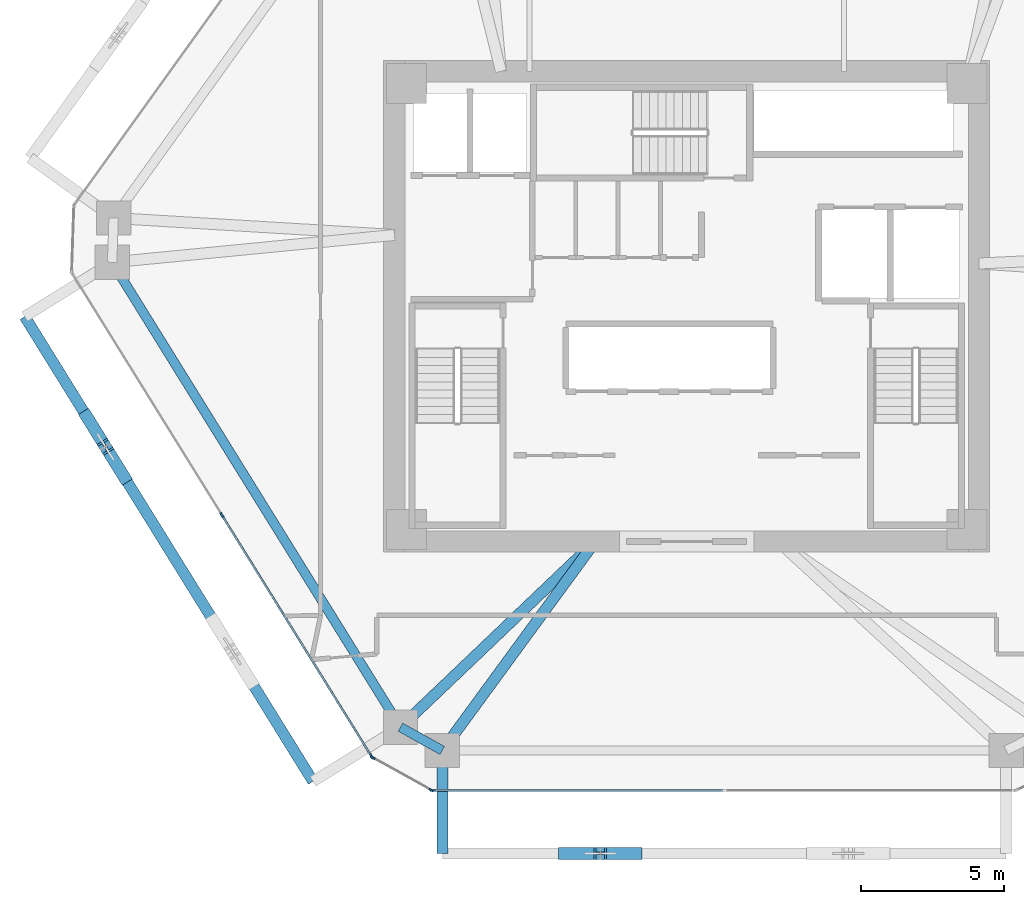
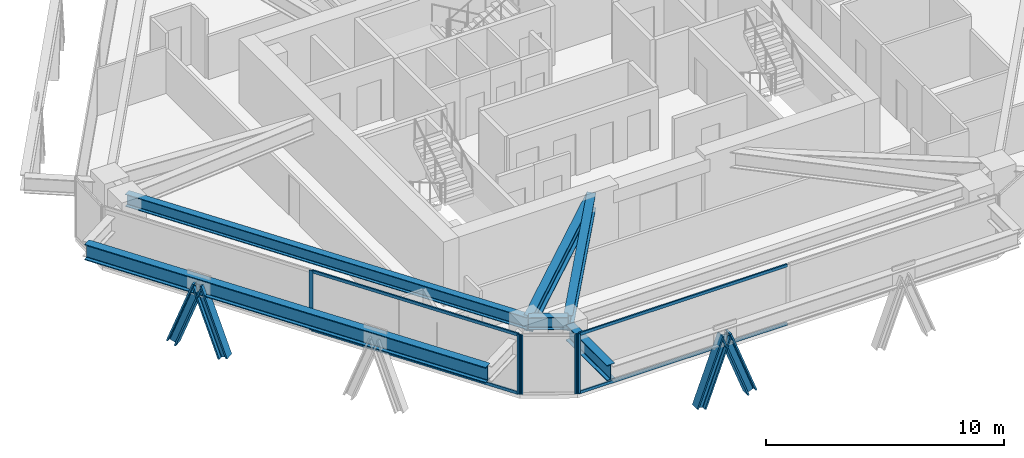
# One storey, part 2 of 15: 13 members, 6 beams, 3 elements without a shape of their own.
"""IFC4 building model written with IfcOpenShell, lengths in metres."""

from ifc_helpers import new_model, si_unit, direction, frame, origin, origin_2d, place, context, subcontext, project, spatial, rectangle, i_section, extrude, source, transform, mapped, material, layer, layer_set, material_profile, profile_set, type_object, type_shapes, element, aggregate, save


model = new_model("IFC4")

# Units and contexts
model_context = context("Model", 3, precision=1e-05, world=origin(), true_north=direction((0.0, 1.0)))
body_context = subcontext(model_context, "Body", "Model", "MODEL_VIEW")
ifc_project = project(units=[si_unit("LENGTHUNIT", "METRE"), si_unit("AREAUNIT", "SQUARE_METRE"), si_unit("VOLUMEUNIT", "CUBIC_METRE"), si_unit("PLANEANGLEUNIT", "RADIAN"), si_unit("MASSUNIT", "GRAM", prefix="KILO")], contexts=[model_context])

# Site, building, storey
site_placement = place(None, origin())
site = spatial("IfcSite", under=ifc_project, at=site_placement, CompositionType="ELEMENT")
building_placement = place(site_placement, origin())
building = spatial("IfcBuilding", under=site, at=building_placement, Name="Durnholm Broadcast Tower", CompositionType="ELEMENT")
storey_placement = place(building_placement, frame((0.0, 0.0, 97.5)))
storey = spatial("IfcBuildingStorey", under=building, at=storey_placement, Name="L25", CompositionType="ELEMENT", Elevation=97.5)

# Beams
ifc_material_1 = material(Name="Steel ASTM A992 Grade 50", Category="steel")
ifc_material_profile_1 = material_profile(ifc_material_1, i_section(OverallWidth=0.385009765625, OverallDepth=0.802978515625, WebThickness=0.023681640625, FlangeThickness=0.0419921875, FilletRadius=0.032958984375, at=origin_2d()), Name="W30X261")
ifc_profile_set_1 = profile_set([ifc_material_profile_1], Name="Steel ASTM A992 Grade 50")
beam_type_1 = type_object("IfcBeamType", Name="BM-EXO-TIE", PredefinedType="USERDEFINED", material=ifc_profile_set_1)
shared_shape_1 = source(origin(), body_context, "Body", "SweptSolid", [
    extrude(i_section(OverallWidth=0.385009765625, OverallDepth=0.802978515625, WebThickness=0.023681640625, FlangeThickness=0.0419921875, FilletRadius=0.032958984375, at=origin_2d()), origin(), (0.0, 0.0, 1.0), 3.4560546875),
])
beam_1_placement = place(storey_placement, frame((-8.552001953125, -15.680908203125, 2.30859375), z_axis=(0.0, -1.0, 0.0), x_axis=(1.0, 0.0, 0.0)))
element("IfcBeam", 1, at=beam_1_placement, inside=storey, type_object=beam_type_1, Name="L25 exoskeleton stand-off tie bracket F1.1", ObjectType="GIRDER", PredefinedType="USERDEFINED", context=body_context, shape_type="MappedRepresentation", body=[
    mapped(shared_shape_1, transform((0.0, 0.0, 0.0), x_axis=(1.0, 0.0, 0.0), y_axis=(0.0, 1.0, 0.0), z_axis=(0.0, 0.0, 1.0), scale=1.0)),
])
ifc_material_profile_2 = material_profile(ifc_material_1, i_section(OverallWidth=0.3291015625, OverallDepth=0.635009765625, WebThickness=0.017822265625, FlangeThickness=0.031005859375, FilletRadius=0.02783203125, at=origin_2d()), Name="W24X162")
ifc_profile_set_2 = profile_set([ifc_material_profile_2], Name="Steel ASTM A992 Grade 50")
beam_type_2 = type_object("IfcBeamType", Name="STL-SP-W24X162", PredefinedType="SPANDREL", material=ifc_profile_set_2)
shared_shape_2 = source(origin(), body_context, "Body", "SweptSolid", [
    extrude(i_section(OverallWidth=0.3291015625, OverallDepth=0.635009765625, WebThickness=0.017822265625, FlangeThickness=0.031005859375, FilletRadius=0.02783203125, at=origin_2d()), origin(), (0.0, 0.0, 1.0), 19.1396484375),
])
beam_2_placement = place(storey_placement, frame((-10.01416015625, -14.723388671875, 2.7275390625), z_axis=(-0.527105324954, 0.849799962582, 0.0), x_axis=(-0.849799962582, -0.527105324954, 0.0)))
element("IfcBeam", 2, at=beam_2_placement, inside=storey, type_object=beam_type_2, Name="L25 perimeter spandrel girder 01", PredefinedType="SPANDREL", context=body_context, shape_type="MappedRepresentation", body=[
    mapped(shared_shape_2, transform((0.0, 0.0, 0.0), x_axis=(1.0, 0.0, 0.0), y_axis=(0.0, 1.0, 0.0), z_axis=(0.0, 0.0, 1.0), scale=1.0)),
])
shared_shape_3 = source(origin(), body_context, "Body", "SweptSolid", [
    extrude(i_section(OverallWidth=0.3291015625, OverallDepth=0.635009765625, WebThickness=0.017822265625, FlangeThickness=0.031005859375, FilletRadius=0.02783203125, at=origin_2d()), origin(), (0.0, 0.0, 1.0), 1.67333984375),
])
type_shapes(beam_type_2, [shared_shape_2, shared_shape_3])
beam_3_placement = place(storey_placement, frame((-8.552001953125, -15.537109375, 2.7275390625), z_axis=(-0.873799169188, 0.486286964586, 0.0), x_axis=(-0.486286964586, -0.873799169188, 0.0)))
element("IfcBeam", 3, at=beam_3_placement, inside=storey, type_object=beam_type_2, Name="L25 perimeter spandrel girder 12", PredefinedType="SPANDREL", context=body_context, shape_type="MappedRepresentation", body=[
    mapped(shared_shape_3, transform((0.0, 0.0, 0.0), x_axis=(1.0, 0.0, 0.0), y_axis=(0.0, 1.0, 0.0), z_axis=(0.0, 0.0, 1.0), scale=1.0)),
])
ifc_material_profile_3 = material_profile(ifc_material_1, i_section(OverallWidth=0.385009765625, OverallDepth=0.802978515625, WebThickness=0.023681640625, FlangeThickness=0.0419921875, FilletRadius=0.032958984375, at=origin_2d()), Name="W30X261")
ifc_profile_set_3 = profile_set([ifc_material_profile_3], Name="Steel ASTM A992 Grade 50")
beam_type_3 = type_object("IfcBeamType", Name="STL-GR-W30X261", PredefinedType="USERDEFINED", material=ifc_profile_set_3)
shared_shape_4 = source(origin(), body_context, "Body", "SweptSolid", [
    extrude(i_section(OverallWidth=0.385009765625, OverallDepth=0.802978515625, WebThickness=0.023681640625, FlangeThickness=0.0419921875, FilletRadius=0.032958984375, at=origin_2d()), origin(), (0.0, 0.0, 1.0), 9.416015625),
])
beam_4_placement = place(storey_placement, frame((-3.199951171875, -8.22509765625, 2.6435546875), z_axis=(-0.723683335801, -0.690132182617, 0.0), x_axis=(0.690132182617, -0.723683335801, 0.0)))
element("IfcBeam", 4, at=beam_4_placement, inside=storey, type_object=beam_type_3, Name="L25 radial primary floor girder 01", ObjectType="GIRDER", PredefinedType="USERDEFINED", context=body_context, shape_type="MappedRepresentation", body=[
    mapped(shared_shape_4, transform((0.0, 0.0, 0.0), x_axis=(1.0, 0.0, 0.0), y_axis=(0.0, 1.0, 0.0), z_axis=(0.0, 0.0, 1.0), scale=1.0)),
])
shared_shape_5 = source(origin(), body_context, "Body", "SweptSolid", [
    extrude(i_section(OverallWidth=0.385009765625, OverallDepth=0.802978515625, WebThickness=0.023681640625, FlangeThickness=0.0419921875, FilletRadius=0.032958984375, at=origin_2d()), origin(), (0.0, 0.0, 1.0), 9.0615234375),
])
type_shapes(beam_type_3, [shared_shape_4, shared_shape_5])
beam_5_placement = place(storey_placement, frame((-3.199951171875, -8.22509765625, 2.6435546875), z_axis=(-0.590639241086, -0.806935739008, 0.0), x_axis=(0.806935739008, -0.590639241086, 0.0)))
element("IfcBeam", 5, at=beam_5_placement, inside=storey, type_object=beam_type_3, Name="L25 radial primary floor girder 12", ObjectType="GIRDER", PredefinedType="USERDEFINED", context=body_context, shape_type="MappedRepresentation", body=[
    mapped(shared_shape_5, transform((0.0, 0.0, 0.0), x_axis=(1.0, 0.0, 0.0), y_axis=(0.0, 1.0, 0.0), z_axis=(0.0, 0.0, 1.0), scale=1.0)),
])
shared_shape_6 = source(origin(), body_context, "Body", "SweptSolid", [
    extrude(i_section(OverallWidth=0.385009765625, OverallDepth=0.802978515625, WebThickness=0.023681640625, FlangeThickness=0.0419921875, FilletRadius=0.032958984375, at=origin_2d()), origin(), (0.0, 0.0, 1.0), 19.139404296875),
])
type_shapes(beam_type_1, [shared_shape_1, shared_shape_6])
beam_6_placement = place(storey_placement, frame((-23.162109375, -0.356201171875, 2.30859375), z_axis=(0.527111038734, -0.84979641847, 0.0), x_axis=(0.84979641847, 0.527111038734, 0.0)))
element("IfcBeam", 6, at=beam_6_placement, inside=storey, type_object=beam_type_1, Name="L25 exoskeleton collector spandrel F6", PredefinedType="SPANDREL", context=body_context, shape_type="MappedRepresentation", body=[
    mapped(shared_shape_6, transform((0.0, 0.0, 0.0), x_axis=(1.0, 0.0, 0.0), y_axis=(0.0, 1.0, 0.0), z_axis=(0.0, 0.0, 1.0), scale=1.0)),
])

# Members
ifc_material_2 = material(Name="Steel ASTM A913 Grade 65", Category="steel")
ifc_material_profile_4 = material_profile(ifc_material_2, i_section(OverallWidth=0.424072265625, OverallDepth=0.47412109375, WebThickness=0.047607421875, FlangeThickness=0.0771484375, FilletRadius=0.030517578125, at=origin_2d()), Name="W14X426")
ifc_profile_set_4 = profile_set([ifc_material_profile_4], Name="Steel ASTM A913 Grade 65")
member_type_1 = type_object("IfcMemberType", Name="STL-DG-W14X426", PredefinedType="BRACE", material=ifc_profile_set_4)
shared_shape_7 = source(origin(), body_context, "Body", "SweptSolid", [
    extrude(i_section(OverallWidth=0.424072265625, OverallDepth=0.47412109375, WebThickness=0.047607421875, FlangeThickness=0.0771484375, FilletRadius=0.030517578125, at=origin_2d()), origin(), (0.0, 0.0, 1.0), 3.523193359375),
])
type_shapes(member_type_1, [shared_shape_7])
for number, where, z_axis, x_axis, name in (
    (7, (-4.261962890625, -19.136962890625, -0.991455078125), (0.350219588454, 0.0, 0.936667625075), (0.0, 1.0, 0.0), "L25 stand-off diagrid brace F1.D1.1"),
    (8, (-1.794189453125, -19.136962890625, -0.991455078125), (-0.350219588454, 0.0, 0.936667625075), (0.0, -1.0, 0.0), "L25 stand-off diagrid brace F1.D1.2"),
    (9, (-20.987548828125, -3.86181640625, -0.991455078125), (0.184602835855, -0.297623566065, 0.936665364961), (0.849805205368, 0.527096872433, 0.0), "L25 stand-off diagrid brace F6.D1.1"),
    (10, (-19.686767578125, -5.958740234375, -0.991455078125), (-0.184606642766, 0.297560406921, 0.936684681032), (-0.849750220063, -0.527185511469, 0.0), "L25 stand-off diagrid brace F6.D1.2"),
):
    element("IfcMember", number, at=place(storey_placement, frame(where, z_axis=z_axis, x_axis=x_axis)), inside=storey, type_object=member_type_1, Name=name, PredefinedType="BRACE", context=body_context, shape_type="MappedRepresentation", body=[
        mapped(shared_shape_7, transform((0.0, 0.0, 0.0), x_axis=(1.0, 0.0, 0.0), y_axis=(0.0, 1.0, 0.0), z_axis=(0.0, 0.0, 1.0), scale=1.0)),
    ])

# Curtain wall, members
ifc_material_3 = material(Name="Aluminium and Solar Control IGU", Category="aluminium")
ifc_layer_1 = layer(ifc_material_3, 0.1650390625)
ifc_layer_set_1 = layer_set([ifc_layer_1], Name="Aluminium and Solar Control IGU")
curtain_wall_type_1 = type_object("IfcCurtainWallType", Name="CW-SYS-5", PredefinedType="NOTDEFINED", material=ifc_layer_set_1)
curtain_wall_1_placement = place(storey_placement, origin())
curtain_wall_1 = element("IfcCurtainWall", 11, at=curtain_wall_1_placement, inside=storey, type_object=curtain_wall_type_1, Name="L25 curtain wall CW-CORNER CW-L25-CRN-11", PredefinedType="NOTDEFINED")
ifc_material_4 = material(Name="Aluminium 6063-T6", Category="aluminium")
ifc_material_profile_5 = material_profile(ifc_material_4, rectangle(XDim=0.06494140625, YDim=0.1650390625, at=origin_2d()), Name="CWM65X165")
ifc_profile_set_5 = profile_set([ifc_material_profile_5], Name="Aluminium 6063-T6")
member_type_2 = type_object("IfcMemberType", Name="CW-SYS-5-MUL", PredefinedType="MULLION", material=ifc_profile_set_5)
shared_shape_8 = source(origin(), body_context, "Body", "SweptSolid", [
    extrude(rectangle(XDim=0.06494140625, YDim=0.1650390625, at=origin_2d()), origin(), (0.0, 0.0, 1.0), 3.06005859375),
])
type_shapes(member_type_2, [shared_shape_8])
member_1_placement = place(storey_placement, frame((-8.943603515625, -16.921142578125, 0.0), z_axis=(0.0, 0.0, 1.0), x_axis=(-0.486244224192, -0.873822953715, 0.0)))
member_1 = element("IfcMember", 12, at=member_1_placement, type_object=member_type_2, Name="CW-CORNER mullion 1", PredefinedType="MULLION", context=body_context, shape_type="MappedRepresentation", body=[
    mapped(shared_shape_8, transform((0.0, 0.0, 0.0), x_axis=(1.0, 0.0, 0.0), y_axis=(0.0, 1.0, 0.0), z_axis=(0.0, 0.0, 1.0), scale=1.0)),
])
member_2_placement = place(storey_placement, frame((-10.98388671875, -15.785888671875, 0.0), z_axis=(0.0, 0.0, 1.0), x_axis=(-0.486244224192, -0.873822953715, 0.0)))
member_2 = element("IfcMember", 13, at=member_2_placement, type_object=member_type_2, Name="CW-CORNER mullion 2", PredefinedType="MULLION", context=body_context, shape_type="MappedRepresentation", body=[
    mapped(shared_shape_8, transform((0.0, 0.0, 0.0), x_axis=(1.0, 0.0, 0.0), y_axis=(0.0, 1.0, 0.0), z_axis=(0.0, 0.0, 1.0), scale=1.0)),
])
aggregate(curtain_wall_1, [member_1, member_2])

# Curtain wall, member
ifc_layer_2 = layer(ifc_material_3, 0.18994140625)
ifc_layer_set_2 = layer_set([ifc_layer_2], Name="Aluminium and Solar Control IGU")
curtain_wall_type_2 = type_object("IfcCurtainWallType", Name="CW-SYS-3", PredefinedType="NOTDEFINED", material=ifc_layer_set_2)
curtain_wall_2_placement = place(storey_placement, origin())
curtain_wall_2 = element("IfcCurtainWall", 14, at=curtain_wall_2_placement, inside=storey, type_object=curtain_wall_type_2, Name="L25 curtain wall CW-Z12-VIS CW-L25-F10", PredefinedType="NOTDEFINED")
ifc_material_profile_6 = material_profile(ifc_material_4, rectangle(XDim=0.070068359375, YDim=0.18994140625, at=origin_2d()), Name="CWM70X190")
ifc_profile_set_6 = profile_set([ifc_material_profile_6], Name="Aluminium 6063-T6")
member_type_3 = type_object("IfcMemberType", Name="CW-SYS-3-MUL", PredefinedType="MULLION", material=ifc_profile_set_6)
shared_shape_9 = source(origin(), body_context, "Body", "SweptSolid", [
    extrude(rectangle(XDim=0.070068359375, YDim=0.18994140625, at=origin_2d()), origin(), (0.0, 0.0, 1.0), 3.06005859375),
])
type_shapes(member_type_3, [shared_shape_9])
member_3_placement = place(storey_placement, frame((-8.880126953125, -16.93701171875, 0.0), z_axis=(0.0, 0.0, 1.0), x_axis=(0.0, -1.0, 0.0)))
member_3 = element("IfcMember", 15, at=member_3_placement, type_object=member_type_3, Name="CW-Z12-VIS mullion 3", PredefinedType="MULLION", context=body_context, shape_type="MappedRepresentation", body=[
    mapped(shared_shape_9, transform((0.0, 0.0, 0.0), x_axis=(1.0, 0.0, 0.0), y_axis=(0.0, 1.0, 0.0), z_axis=(0.0, 0.0, 1.0), scale=1.0)),
])

# Curtain wall, members
curtain_wall_3_placement = place(storey_placement, origin())
curtain_wall_3 = element("IfcCurtainWall", 16, at=curtain_wall_3_placement, inside=storey, type_object=curtain_wall_type_2, Name="L25 curtain wall CW-Z12-VIS CW-L25-F12", PredefinedType="NOTDEFINED")
member_4_placement = place(storey_placement, frame((-11.03076171875, -15.740234375, 0.0), z_axis=(0.0, 0.0, 1.0), x_axis=(-0.849799925229, -0.527105385176, 0.0)))
member_4 = element("IfcMember", 17, at=member_4_placement, type_object=member_type_3, Name="CW-Z12-VIS mullion 1", PredefinedType="MULLION", context=body_context, shape_type="MappedRepresentation", body=[
    mapped(shared_shape_9, transform((0.0, 0.0, 0.0), x_axis=(1.0, 0.0, 0.0), y_axis=(0.0, 1.0, 0.0), z_axis=(0.0, 0.0, 1.0), scale=1.0)),
])
member_5_placement = place(storey_placement, frame((-16.264404296875, -7.302734375, 0.0), z_axis=(0.0, 0.0, 1.0), x_axis=(-0.849799925229, -0.527105385176, 0.0)))
member_5 = element("IfcMember", 18, at=member_5_placement, type_object=member_type_3, Name="CW-Z12-VIS mullion 2", PredefinedType="MULLION", context=body_context, shape_type="MappedRepresentation", body=[
    mapped(shared_shape_9, transform((0.0, 0.0, 0.0), x_axis=(1.0, 0.0, 0.0), y_axis=(0.0, 1.0, 0.0), z_axis=(0.0, 0.0, 1.0), scale=1.0)),
])

# Member
ifc_material_profile_7 = material_profile(ifc_material_4, rectangle(XDim=0.070068359375, YDim=0.14990234375, at=origin_2d()), Name="CWT70X150")
ifc_profile_set_7 = profile_set([ifc_material_profile_7], Name="Aluminium 6063-T6")
member_type_4 = type_object("IfcMemberType", Name="CW-SYS-3-TRN", PredefinedType="USERDEFINED", material=ifc_profile_set_7)
shared_shape_10 = source(origin(), body_context, "Body", "SweptSolid", [
    extrude(rectangle(XDim=0.070068359375, YDim=0.14990234375, at=origin_2d()), origin(), (0.0, 0.0, 1.0), 10.109619140625),
])
member_6_placement = place(storey_placement, frame((1.264404296875, -16.93701171875, 0.034912109375), z_axis=(-1.0, 0.0, 0.0), x_axis=(0.0, -1.0, 0.0)))
member_6 = element("IfcMember", 19, at=member_6_placement, type_object=member_type_4, Name="CW-Z12-VIS transom 2.1", ObjectType="TRANSOM", PredefinedType="USERDEFINED", context=body_context, shape_type="MappedRepresentation", body=[
    mapped(shared_shape_10, transform((0.0, 0.0, 0.0), x_axis=(1.0, 0.0, 0.0), y_axis=(0.0, 1.0, 0.0), z_axis=(0.0, 0.0, 1.0), scale=1.0)),
])

member_7_placement = place(storey_placement, frame((1.264404296875, -16.93701171875, 3.02490234375), z_axis=(-1.0, 0.0, 0.0), x_axis=(0.0, -1.0, 0.0)))
member_7 = element("IfcMember", 20, at=member_7_placement, type_object=member_type_4, Name="CW-Z12-VIS transom 2.2", ObjectType="TRANSOM", PredefinedType="USERDEFINED", context=body_context, shape_type="MappedRepresentation", body=[
    mapped(shared_shape_10, transform((0.0, 0.0, 0.0), x_axis=(1.0, 0.0, 0.0), y_axis=(0.0, 1.0, 0.0), z_axis=(0.0, 0.0, 1.0), scale=1.0)),
])

aggregate(curtain_wall_2, [member_3, member_6, member_7])

shared_shape_11 = source(origin(), body_context, "Body", "SweptSolid", [
    extrude(rectangle(XDim=0.070068359375, YDim=0.14990234375, at=origin_2d()), origin(), (0.0, 0.0, 1.0), 9.858642578125),
])
type_shapes(member_type_4, [shared_shape_10, shared_shape_11])
member_8_placement = place(storey_placement, frame((-11.04931640625, -15.71044921875, 0.034912109375), z_axis=(-0.527102081419, 0.849801974441, 0.0), x_axis=(-0.849801974441, -0.527102081419, 0.0)))
member_8 = element("IfcMember", 21, at=member_8_placement, type_object=member_type_4, Name="CW-Z12-VIS transom 1.1", ObjectType="TRANSOM", PredefinedType="USERDEFINED", context=body_context, shape_type="MappedRepresentation", body=[
    mapped(shared_shape_11, transform((0.0, 0.0, 0.0), x_axis=(1.0, 0.0, 0.0), y_axis=(0.0, 1.0, 0.0), z_axis=(0.0, 0.0, 1.0), scale=1.0)),
])

member_9_placement = place(storey_placement, frame((-11.04931640625, -15.71044921875, 3.02490234375), z_axis=(-0.527102081419, 0.849801974441, 0.0), x_axis=(-0.849801974441, -0.527102081419, 0.0)))
member_9 = element("IfcMember", 22, at=member_9_placement, type_object=member_type_4, Name="CW-Z12-VIS transom 1.2", ObjectType="TRANSOM", PredefinedType="USERDEFINED", context=body_context, shape_type="MappedRepresentation", body=[
    mapped(shared_shape_11, transform((0.0, 0.0, 0.0), x_axis=(1.0, 0.0, 0.0), y_axis=(0.0, 1.0, 0.0), z_axis=(0.0, 0.0, 1.0), scale=1.0)),
])

aggregate(curtain_wall_3, [member_4, member_5, member_8, member_9])

save(model, "model.ifc")
